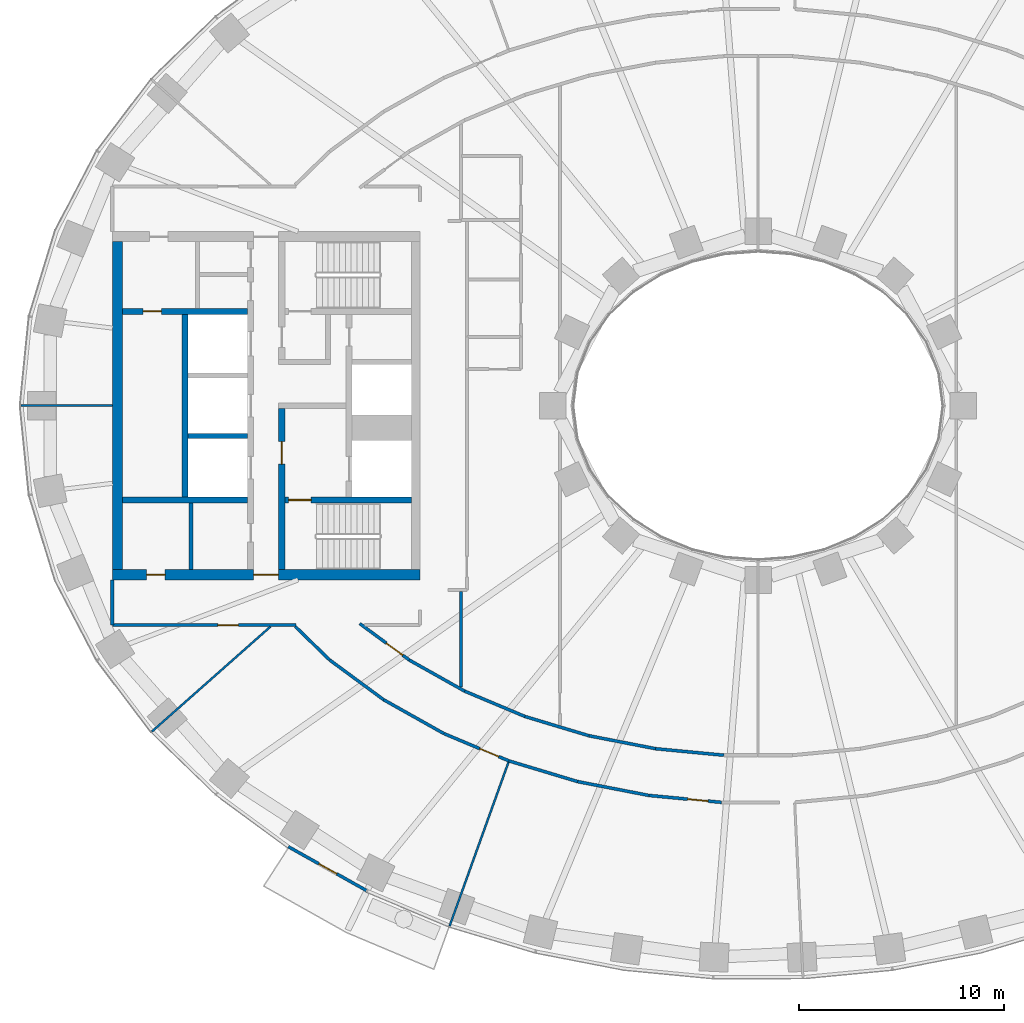
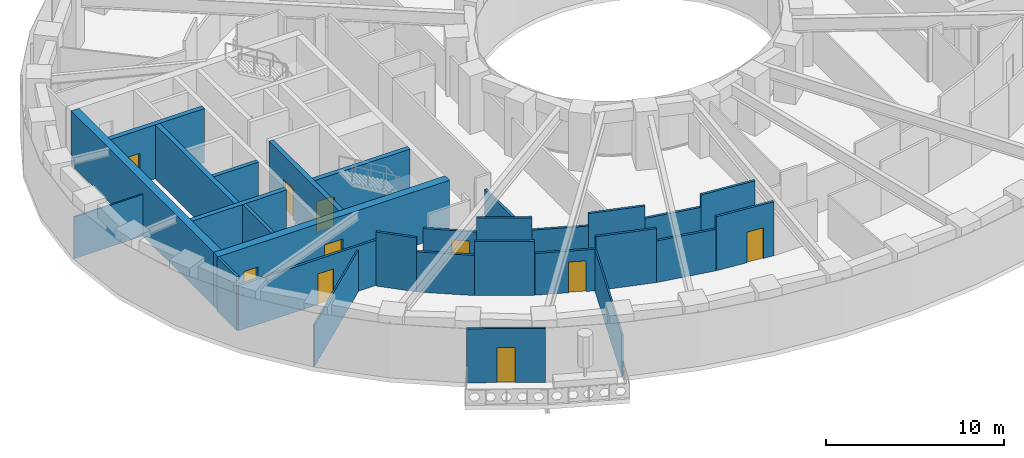
# One storey, part 3 of 16: 29 walls, 10 doors, 10 openings.
"""IFC4 building model written with IfcOpenShell, lengths in metres."""

from ifc_helpers import new_model, si_unit, direction, frame, frame_2d, origin, place, context, subcontext, project, spatial, rectangle, extrude, material, layer, layer_set, type_object, element, fill, save


model = new_model("IFC4")

# Units and contexts
model_context = context("Model", 3, precision=1e-05, world=origin(), true_north=direction((0.0, 1.0)))
body_context = subcontext(model_context, "Body", "Model", "MODEL_VIEW")
ifc_project = project(units=[si_unit("LENGTHUNIT", "METRE"), si_unit("AREAUNIT", "SQUARE_METRE"), si_unit("VOLUMEUNIT", "CUBIC_METRE"), si_unit("PLANEANGLEUNIT", "RADIAN"), si_unit("MASSUNIT", "GRAM", prefix="KILO")], contexts=[model_context])

# Site, building, storey
site_placement = place(None, origin())
site = spatial("IfcSite", under=ifc_project, at=site_placement, CompositionType="ELEMENT")
building_placement = place(site_placement, origin())
building = spatial("IfcBuilding", under=site, at=building_placement, Name="Noorbagh Ring Tower", CompositionType="ELEMENT")
storey_placement = place(building_placement, frame((0.0, 0.0, 74.5)))
storey = spatial("IfcBuildingStorey", under=building, at=storey_placement, Name="L16", CompositionType="ELEMENT", Elevation=74.5)

# Walls
ifc_material_1 = material(Name="Gypsum board on steel studs", Category="steel")
ifc_layer_1 = layer(ifc_material_1, 0.199951171875)
ifc_layer_set_1 = layer_set([ifc_layer_1], Name="Gypsum board on steel studs")
wall_type_1 = type_object("IfcWallType", Name="CORE-PARTITION-200", PredefinedType="PARTITIONING", material=ifc_layer_set_1)
wall_1_placement = place(storey_placement, frame((-27.64990234375, -8.0, 0.0), z_axis=(0.0, 0.0, 1.0), x_axis=(0.0, 1.0, 0.0)))
element("IfcWall", 1, at=wall_1_placement, inside=storey, type_object=wall_type_1, Name="Core partition W", PredefinedType="PARTITIONING", context=body_context, shape_type="SweptSolid", body=[
    extrude(rectangle(XDim=3.25, YDim=0.199951171875, at=frame_2d((1.625, 0.0))), origin(), (0.0, 0.0, 1.0), 3.699951171875),
])
ifc_material_2 = material(Name="Concrete C70/85", Category="concrete")
ifc_layer_2 = layer(ifc_material_2, 0.25)
ifc_layer_set_2 = layer_set([ifc_layer_2], Name="Concrete C70/85")
wall_type_2 = type_object("IfcWallType", Name="CORE-WALL-250-C70-85-EI120", PredefinedType="SHEAR", material=ifc_layer_set_2)
wall_2_placement = place(storey_placement, frame((-24.89990234375, -1.47509765625, 0.0), z_axis=(0.0, 0.0, 1.0), x_axis=(-1.0, 0.0, 0.0)))
element("IfcWall", 2, at=wall_2_placement, inside=storey, type_object=wall_type_2, Name="Core wall W", PredefinedType="SHEAR", context=body_context, shape_type="SweptSolid", body=[
    extrude(rectangle(XDim=2.900146484375, YDim=0.25, at=frame_2d((1.4501953125, 0.0))), origin(), (0.0, 0.0, 1.0), 3.699951171875),
])
ifc_material_3 = material(Name="Concrete C70/85", Category="concrete")
ifc_layer_3 = layer(ifc_material_3, 0.300048828125)
ifc_layer_set_3 = layer_set([ifc_layer_3], Name="Concrete C70/85")
wall_type_3 = type_object("IfcWallType", Name="CORE-WALL-300-C70-85-EI120", PredefinedType="SHEAR", material=ifc_layer_set_3)
wall_3_placement = place(storey_placement, frame((-27.949951171875, -4.449951171875, 0.0), z_axis=(0.0, 0.0, 1.0), x_axis=(0.0, 1.0, 0.0)))
element("IfcWall", 3, at=wall_3_placement, inside=storey, type_object=wall_type_3, Name="Core wall W", PredefinedType="SHEAR", context=body_context, shape_type="SweptSolid", body=[
    extrude(rectangle(XDim=8.89990234375, YDim=0.300048828125, at=frame_2d((4.449951171875, 0.0))), origin(), (0.0, 0.0, 1.0), 3.699951171875),
])

# Wall, opening, door
ifc_material_4 = material(Name="Concrete C70/85", Category="concrete")
ifc_layer_4 = layer(ifc_material_4, 0.300048828125)
ifc_layer_set_4 = layer_set([ifc_layer_4], Name="Concrete C70/85")
wall_type_4 = type_object("IfcWallType", Name="CORE-WALL-300-C70-85-EI240", PredefinedType="SHEAR", material=ifc_layer_set_4)
wall_4_placement = place(storey_placement, frame((-24.89990234375, 4.60009765625, 0.0), z_axis=(0.0, 0.0, 1.0), x_axis=(-1.0, 0.0, 0.0)))
wall_4 = element("IfcWall", 4, at=wall_4_placement, inside=storey, type_object=wall_type_4, Name="Core wall W", PredefinedType="SHEAR", context=body_context, shape_type="SweptSolid", body=[
    extrude(rectangle(XDim=6.10009765625, YDim=0.300048828125, at=frame_2d((3.050048828125, 0.0))), origin(), (0.0, 0.0, 1.0), 3.699951171875),
])
opening_1_placement = place(wall_4_placement, frame((4.199951171875, 0.0, 0.0)))
opening_1 = element("IfcOpeningElement", 5, at=opening_1_placement, cuts=wall_4, Name="Opening L16-CW17", PredefinedType="OPENING", context=body_context, shape_type="SweptSolid", body=[
    extrude(rectangle(XDim=0.89990234375, YDim=2.10009765625, at=frame_2d((0.449951171875, 1.050048828125))), frame((0.0, 0.16015625, 0.0), z_axis=(0.0, -1.0, 0.0), x_axis=(1.0, 0.0, 0.0)), (0.0, 0.0, 1.0), 0.320068359375),
])
ifc_material_5 = material(Name="Steel door leaf", Category="steel")
door_type_1 = type_object("IfcDoorType", Name="CORE-DOOR-DROOM", OperationType="SINGLE_SWING_LEFT", PredefinedType="DOOR", material=ifc_material_5)
door_1_placement = place(opening_1_placement, origin())
door_1 = element("IfcDoor", 6, at=door_1_placement, inside=storey, type_object=door_type_1, Name="Core room door L16-CW17", OperationType="SINGLE_SWING_LEFT", OverallHeight=2.10009765625, OverallWidth=0.89990234375, PredefinedType="DOOR", context=body_context, shape_type="SweptSolid", body=[
    extrude(rectangle(XDim=0.89990234375, YDim=2.10009765625, at=frame_2d((0.449951171875, 1.050048828125))), frame((0.0, 0.02490234375, 0.0), z_axis=(0.0, -1.0, 0.0), x_axis=(1.0, 0.0, 0.0)), (0.0, 0.0, 1.0), 0.050048828125),
])
fill(opening_1, door_1)

# Wall
wall_5_placement = place(storey_placement, frame((-24.89990234375, -4.60009765625, 0.0), z_axis=(0.0, 0.0, 1.0), x_axis=(-1.0, 0.0, 0.0)))
element("IfcWall", 7, at=wall_5_placement, inside=storey, type_object=wall_type_4, Name="Core wall W", PredefinedType="SHEAR", context=body_context, shape_type="SweptSolid", body=[
    extrude(rectangle(XDim=6.10009765625, YDim=0.300048828125, at=frame_2d((3.050048828125, 0.0))), origin(), (0.0, 0.0, 1.0), 3.699951171875),
])

# Wall, opening, door
wall_6_placement = place(storey_placement, frame((-23.22998046875, -8.0, 0.0), z_axis=(0.0, 0.0, 1.0), x_axis=(0.0, 1.0, 0.0)))
wall_6 = element("IfcWall", 8, at=wall_6_placement, inside=storey, type_object=wall_type_4, Name="Core wall W", PredefinedType="SHEAR", context=body_context, shape_type="SweptSolid", body=[
    extrude(rectangle(XDim=7.875, YDim=0.300048828125, at=frame_2d((3.9375, 0.0))), origin(), (0.0, 0.0, 1.0), 3.699951171875),
])
opening_2_placement = place(wall_6_placement, frame((5.14990234375, 0.0, 0.0)))
opening_2 = element("IfcOpeningElement", 9, at=opening_2_placement, cuts=wall_6, Name="Opening L16-CW07", PredefinedType="OPENING", context=body_context, shape_type="SweptSolid", body=[
    extrude(rectangle(XDim=1.10009765625, YDim=2.10009765625, at=frame_2d((0.550048828125, 1.050048828125))), frame((0.0, 0.16015625, 0.0), z_axis=(0.0, -1.0, 0.0), x_axis=(1.0, 0.0, 0.0)), (0.0, 0.0, 1.0), 0.320068359375),
])
ifc_material_6 = material(Name="Steel door leaf", Category="steel")
door_type_2 = type_object("IfcDoorType", Name="CORE-DOOR-DFF", OperationType="SINGLE_SWING_LEFT", PredefinedType="DOOR", material=ifc_material_6)
door_2_placement = place(opening_2_placement, origin())
door_2 = element("IfcDoor", 10, at=door_2_placement, inside=storey, type_object=door_type_2, Name="Firefighting lobby door L16-CW07", OperationType="SINGLE_SWING_LEFT", OverallHeight=2.10009765625, OverallWidth=1.10009765625, PredefinedType="DOOR", context=body_context, shape_type="SweptSolid", body=[
    extrude(rectangle(XDim=1.10009765625, YDim=2.10009765625, at=frame_2d((0.550048828125, 1.050048828125))), frame((0.0, 0.02490234375, 0.0), z_axis=(0.0, -1.0, 0.0), x_axis=(1.0, 0.0, 0.0)), (0.0, 0.0, 1.0), 0.050048828125),
])
fill(opening_2, door_2)

wall_7_placement = place(storey_placement, frame((-16.89990234375, -4.60009765625, 0.0), z_axis=(0.0, 0.0, 1.0), x_axis=(-1.0, 0.0, 0.0)))
wall_7 = element("IfcWall", 11, at=wall_7_placement, inside=storey, type_object=wall_type_4, Name="Core wall W", PredefinedType="SHEAR", context=body_context, shape_type="SweptSolid", body=[
    extrude(rectangle(XDim=6.18017578125, YDim=0.300048828125, at=frame_2d((3.090087890625, 0.0))), origin(), (0.0, 0.0, 1.0), 3.699951171875),
])
opening_3_placement = place(wall_7_placement, frame((4.89990234375, 0.0, 0.0)))
opening_3 = element("IfcOpeningElement", 12, at=opening_3_placement, cuts=wall_7, Name="Opening L16-CW06", PredefinedType="OPENING", context=body_context, shape_type="SweptSolid", body=[
    extrude(rectangle(XDim=1.10009765625, YDim=2.10009765625, at=frame_2d((0.550048828125, 1.050048828125))), frame((0.0, 0.16015625, 0.0), z_axis=(0.0, -1.0, 0.0), x_axis=(1.0, 0.0, 0.0)), (0.0, 0.0, 1.0), 0.320068359375),
])
ifc_material_7 = material(Name="Steel door leaf", Category="steel")
door_type_3 = type_object("IfcDoorType", Name="CORE-DOOR-DSTAIR", OperationType="SINGLE_SWING_LEFT", PredefinedType="DOOR", material=ifc_material_7)
door_3_placement = place(opening_3_placement, origin())
door_3 = element("IfcDoor", 13, at=door_3_placement, inside=storey, type_object=door_type_3, Name="Stair door ST2 L16-CW06", OperationType="SINGLE_SWING_LEFT", OverallHeight=2.10009765625, OverallWidth=1.10009765625, PredefinedType="DOOR", context=body_context, shape_type="SweptSolid", body=[
    extrude(rectangle(XDim=1.10009765625, YDim=2.10009765625, at=frame_2d((0.550048828125, 1.050048828125))), frame((0.0, 0.02490234375, 0.0), z_axis=(0.0, -1.0, 0.0), x_axis=(1.0, 0.0, 0.0)), (0.0, 0.0, 1.0), 0.050048828125),
])
fill(opening_3, door_3)

# Wall, openings, doors
ifc_material_8 = material(Name="Concrete C70/85", Category="concrete")
ifc_layer_5 = layer(ifc_material_8, 0.5)
ifc_layer_set_5 = layer_set([ifc_layer_5], Name="Concrete C70/85")
wall_type_5 = type_object("IfcWallType", Name="CORE-WALL-500-C70-85-EI240", PredefinedType="SHEAR", material=ifc_layer_set_5)
wall_8_placement = place(storey_placement, frame((-16.5, -8.25, 0.0), z_axis=(0.0, 0.0, 1.0), x_axis=(-1.0, 0.0, 0.0)))
wall_8 = element("IfcWall", 14, at=wall_8_placement, inside=storey, type_object=wall_type_5, Name="Core wall W", PredefinedType="SHEAR", context=body_context, shape_type="SweptSolid", body=[
    extrude(rectangle(XDim=15.0, YDim=0.5, at=frame_2d((7.5, 0.0))), origin(), (0.0, 0.0, 1.0), 3.699951171875),
])
opening_4_placement = place(wall_8_placement, frame((6.89990234375, 0.0, 0.0)))
opening_4 = element("IfcOpeningElement", 15, at=opening_4_placement, cuts=wall_8, Name="Opening L16-CW10", PredefinedType="OPENING", context=body_context, shape_type="SweptSolid", body=[
    extrude(rectangle(XDim=1.199951171875, YDim=2.10009765625, at=frame_2d((0.60009765625, 1.050048828125))), frame((0.0, 0.260009765625, 0.0), z_axis=(0.0, -1.0, 0.0), x_axis=(1.0, 0.0, 0.0)), (0.0, 0.0, 1.0), 0.52001953125),
])
opening_5_placement = place(wall_8_placement, frame((12.425048828125, 0.0, 0.0)))
opening_5 = element("IfcOpeningElement", 16, at=opening_5_placement, cuts=wall_8, Name="Opening L16-CW16", PredefinedType="OPENING", context=body_context, shape_type="SweptSolid", body=[
    extrude(rectangle(XDim=0.89990234375, YDim=2.10009765625, at=frame_2d((0.449951171875, 1.050048828125))), frame((0.0, 0.260009765625, 0.0), z_axis=(0.0, -1.0, 0.0), x_axis=(1.0, 0.0, 0.0)), (0.0, 0.0, 1.0), 0.52001953125),
])
door_4_placement = place(opening_5_placement, origin())
door_4 = element("IfcDoor", 17, at=door_4_placement, inside=storey, type_object=door_type_1, Name="Core room door L16-CW16", OperationType="SINGLE_SWING_LEFT", OverallHeight=2.10009765625, OverallWidth=0.89990234375, PredefinedType="DOOR", context=body_context, shape_type="SweptSolid", body=[
    extrude(rectangle(XDim=0.89990234375, YDim=2.10009765625, at=frame_2d((0.449951171875, 1.050048828125))), frame((0.0, 0.02490234375, 0.0), z_axis=(0.0, -1.0, 0.0), x_axis=(1.0, 0.0, 0.0)), (0.0, 0.0, 1.0), 0.050048828125),
])
fill(opening_5, door_4)
ifc_material_9 = material(Name="Steel door leaf", Category="steel")
door_type_4 = type_object("IfcDoorType", Name="CORE-DOOR-PORT", OperationType="DOUBLE_DOOR_DOUBLE_SWING", PredefinedType="DOOR", material=ifc_material_9)
door_5_placement = place(opening_4_placement, origin())
door_5 = element("IfcDoor", 18, at=door_5_placement, inside=storey, type_object=door_type_4, Name="Core entrance door L16-CW10", OperationType="DOUBLE_DOOR_DOUBLE_SWING", OverallHeight=2.10009765625, OverallWidth=1.199951171875, PredefinedType="DOOR", context=body_context, shape_type="SweptSolid", body=[
    extrude(rectangle(XDim=1.199951171875, YDim=2.10009765625, at=frame_2d((0.60009765625, 1.050048828125))), frame((0.0, 0.02490234375, 0.0), z_axis=(0.0, -1.0, 0.0), x_axis=(1.0, 0.0, 0.0)), (0.0, 0.0, 1.0), 0.050048828125),
])
fill(opening_4, door_5)

# Walls
wall_9_placement = place(storey_placement, frame((-31.25, -8.0, 0.0), z_axis=(0.0, 0.0, 1.0), x_axis=(0.0, 1.0, 0.0)))
element("IfcWall", 19, at=wall_9_placement, inside=storey, type_object=wall_type_5, Name="Core wall W", PredefinedType="SHEAR", context=body_context, shape_type="SweptSolid", body=[
    extrude(rectangle(XDim=16.0, YDim=0.5, at=frame_2d((8.0, 0.0))), origin(), (0.0, 0.0, 1.0), 3.699951171875),
])
ifc_material_10 = material(Name="Gypsum board on steel studs", Category="steel")
ifc_layer_6 = layer(ifc_material_10, 0.14990234375)
ifc_layer_set_6 = layer_set([ifc_layer_6], Name="Gypsum board on steel studs")
wall_type_6 = type_object("IfcWallType", Name="CORRIDOR PARTITION 150 EI 30", PredefinedType="PARTITIONING", material=ifc_layer_set_6)
wall_10_placement = place(storey_placement, frame((-31.5, -10.699951171875, 0.0), z_axis=(0.0, 0.0, 1.0), x_axis=(0.0, 1.0, 0.0)))
element("IfcWall", 20, at=wall_10_placement, inside=storey, type_object=wall_type_6, Name="L16/wall/P02", PredefinedType="PARTITIONING", context=body_context, shape_type="SweptSolid", body=[
    extrude(rectangle(XDim=2.199951171875, YDim=0.14990234375, at=frame_2d((1.10009765625, 0.0))), origin(), (0.0, 0.0, 1.0), 3.699951171875),
])

# Wall, opening, door
wall_11_placement = place(storey_placement, frame((-31.5, -10.699951171875, 0.0), z_axis=(0.0, 0.0, 1.0), x_axis=(1.0, 0.0, 0.0)))
wall_11 = element("IfcWall", 21, at=wall_11_placement, inside=storey, type_object=wall_type_6, Name="L16/wall/P03", PredefinedType="PARTITIONING", context=body_context, shape_type="SweptSolid", body=[
    extrude(rectangle(XDim=8.9609375, YDim=0.14990234375, at=frame_2d((4.48046875, 0.0))), origin(), (0.0, 0.0, 1.0), 3.10009765625),
])
opening_6_placement = place(wall_11_placement, frame((5.14990234375, 0.0, 0.0)))
opening_6 = element("IfcOpeningElement", 22, at=opening_6_placement, cuts=wall_11, Name="Opening D1", PredefinedType="OPENING", context=body_context, shape_type="SweptSolid", body=[
    extrude(rectangle(XDim=1.0, YDim=2.10009765625, at=frame_2d((0.5, 1.050048828125))), frame((0.0, 0.0849609375, 0.0), z_axis=(0.0, -1.0, 0.0), x_axis=(1.0, 0.0, 0.0)), (0.0, 0.0, 1.0), 0.169921875),
])
ifc_material_11 = material(Name="Timber, painted", Category="wood")
door_type_5 = type_object("IfcDoorType", Name="DOOR 1000 X 2100 FD30", OperationType="SINGLE_SWING_LEFT", PredefinedType="DOOR", material=ifc_material_11)
door_6_placement = place(opening_6_placement, origin())
door_6 = element("IfcDoor", 23, at=door_6_placement, inside=storey, type_object=door_type_5, Name="L16-D06", OperationType="SINGLE_SWING_RIGHT", OverallHeight=2.10009765625, OverallWidth=1.0, PredefinedType="DOOR", context=body_context, shape_type="SweptSolid", body=[
    extrude(rectangle(XDim=1.0, YDim=2.10009765625, at=frame_2d((0.5, 1.050048828125))), frame((0.0, 0.02490234375, 0.0), z_axis=(0.0, -1.0, 0.0), x_axis=(1.0, 0.0, 0.0)), (0.0, 0.0, 1.0), 0.050048828125),
])
fill(opening_6, door_6)

# Walls
wall_12_placement = place(storey_placement, frame((-22.570068359375, -10.77490234375, 0.0), z_axis=(0.0, 0.0, 1.0), x_axis=(0.717045582263, -0.697026278527, 0.0)))
element("IfcWall", 24, at=wall_12_placement, inside=storey, type_object=wall_type_6, Name="L16/wall/P08", PredefinedType="PARTITIONING", context=body_context, shape_type="SweptSolid", body=[
    extrude(rectangle(XDim=2.341552734375, YDim=0.14990234375, at=frame_2d((1.1708984375, 0.0))), origin(), (0.0, 0.0, 1.0), 3.699951171875),
])
wall_13_placement = place(storey_placement, frame((-20.89111328125, -12.406982421875, 0.0), z_axis=(0.0, 0.0, 1.0), x_axis=(0.805303685339, -0.592862525701, 0.0)))
element("IfcWall", 25, at=wall_13_placement, inside=storey, type_object=wall_type_6, Name="L16/wall/P10", PredefinedType="PARTITIONING", context=body_context, shape_type="SweptSolid", body=[
    extrude(rectangle(XDim=3.267333984375, YDim=0.14990234375, at=frame_2d((1.6337890625, 0.0))), origin(), (0.0, 0.0, 1.0), 2.75),
])

# Wall, opening, door
wall_14_placement = place(storey_placement, frame((-19.431884765625, -10.625, 0.0), z_axis=(0.0, 0.0, 1.0), x_axis=(0.805306738654, -0.592858378265, 0.0)))
wall_14 = element("IfcWall", 26, at=wall_14_placement, inside=storey, type_object=wall_type_6, Name="L16/wall/P12", PredefinedType="PARTITIONING", context=body_context, shape_type="SweptSolid", body=[
    extrude(rectangle(XDim=3.00732421875, YDim=0.14990234375, at=frame_2d((1.503662109375, 0.0))), origin(), (0.0, 0.0, 1.0), 2.75),
])
opening_7_placement = place(wall_14_placement, frame((1.607421875, 0.0, 0.0)))
opening_7 = element("IfcOpeningElement", 27, at=opening_7_placement, cuts=wall_14, Name="Opening D1", PredefinedType="OPENING", context=body_context, shape_type="SweptSolid", body=[
    extrude(rectangle(XDim=1.0, YDim=2.10009765625, at=frame_2d((0.5, 1.050048828125))), frame((0.0, 0.0849609375, 0.0), z_axis=(0.0, -1.0, 0.0), x_axis=(1.0, 0.0, 0.0)), (0.0, 0.0, 1.0), 0.169921875),
])
door_7_placement = place(opening_7_placement, origin())
door_7 = element("IfcDoor", 28, at=door_7_placement, inside=storey, type_object=door_type_5, Name="L16-D15", OperationType="SINGLE_SWING_LEFT", OverallHeight=2.10009765625, OverallWidth=1.0, PredefinedType="DOOR", context=body_context, shape_type="SweptSolid", body=[
    extrude(rectangle(XDim=1.0, YDim=2.10009765625, at=frame_2d((0.5, 1.050048828125))), frame((0.0, 0.02490234375, 0.0), z_axis=(0.0, -1.0, 0.0), x_axis=(1.0, 0.0, 0.0)), (0.0, 0.0, 1.0), 0.050048828125),
])
fill(opening_7, door_7)

# Walls
wall_15_placement = place(storey_placement, frame((-18.260009765625, -14.343994140625, 0.0), z_axis=(0.0, 0.0, 1.0), x_axis=(0.871958798398, -0.489579262118, 0.0)))
element("IfcWall", 29, at=wall_15_placement, inside=storey, type_object=wall_type_6, Name="L16/wall/P16", PredefinedType="PARTITIONING", context=body_context, shape_type="SweptSolid", body=[
    extrude(rectangle(XDim=3.365966796875, YDim=0.14990234375, at=frame_2d((1.68310546875, 0.0))), origin(), (0.0, 0.0, 1.0), 3.699951171875),
])
wall_16_placement = place(storey_placement, frame((-17.010009765625, -12.407958984375, 0.0), z_axis=(0.0, 0.0, 1.0), x_axis=(0.871977874087, -0.489545286059, 0.0)))
element("IfcWall", 30, at=wall_16_placement, inside=storey, type_object=wall_type_6, Name="L16/wall/P18", PredefinedType="PARTITIONING", context=body_context, shape_type="SweptSolid", body=[
    extrude(rectangle(XDim=3.093017578125, YDim=0.14990234375, at=frame_2d((1.54638671875, 0.0))), origin(), (0.0, 0.0, 1.0), 3.699951171875),
])

# Wall, opening, door
wall_17_placement = place(storey_placement, frame((-15.324951171875, -15.991943359375, 0.0), z_axis=(0.0, 0.0, 1.0), x_axis=(0.921891448612, -0.387448263612, 0.0)))
wall_17 = element("IfcWall", 31, at=wall_17_placement, inside=storey, type_object=wall_type_6, Name="L16/wall/P22", PredefinedType="PARTITIONING", context=body_context, shape_type="SweptSolid", body=[
    extrude(rectangle(XDim=3.443115234375, YDim=0.14990234375, at=frame_2d((1.7216796875, 0.0))), origin(), (0.0, 0.0, 1.0), 2.85009765625),
])
opening_8_placement = place(wall_17_placement, frame((1.89990234375, 0.0, 0.0)))
opening_8 = element("IfcOpeningElement", 32, at=opening_8_placement, cuts=wall_17, Name="Opening D1", PredefinedType="OPENING", context=body_context, shape_type="SweptSolid", body=[
    extrude(rectangle(XDim=1.0, YDim=2.10009765625, at=frame_2d((0.5, 1.050048828125))), frame((0.0, 0.0849609375, 0.0), z_axis=(0.0, -1.0, 0.0), x_axis=(1.0, 0.0, 0.0)), (0.0, 0.0, 1.0), 0.169921875),
])
door_8_placement = place(opening_8_placement, origin())
door_8 = element("IfcDoor", 33, at=door_8_placement, inside=storey, type_object=door_type_5, Name="L16-D08", OperationType="SINGLE_SWING_RIGHT", OverallHeight=2.10009765625, OverallWidth=1.0, PredefinedType="DOOR", context=body_context, shape_type="SweptSolid", body=[
    extrude(rectangle(XDim=1.0, YDim=2.10009765625, at=frame_2d((0.5, 1.050048828125))), frame((0.0, 0.02490234375, 0.0), z_axis=(0.0, -1.0, 0.0), x_axis=(1.0, 0.0, 0.0)), (0.0, 0.0, 1.0), 0.050048828125),
])
fill(opening_8, door_8)

# Walls
wall_18_placement = place(storey_placement, frame((-14.4970703125, -13.72900390625, 0.0), z_axis=(0.0, 0.0, 1.0), x_axis=(0.0, 1.0, 0.0)))
element("IfcWall", 34, at=wall_18_placement, inside=storey, type_object=wall_type_6, Name="L16/wall/P28", PredefinedType="PARTITIONING", context=body_context, shape_type="SweptSolid", body=[
    extrude(rectangle(XDim=4.654052734375, YDim=0.14990234375, at=frame_2d((2.3271484375, 0.0))), origin(), (0.0, 0.0, 1.0), 2.75),
])
wall_19_placement = place(storey_placement, frame((-14.31298828125, -13.922119140625, 0.0), z_axis=(0.0, 0.0, 1.0), x_axis=(0.921799502591, -0.387666966638, 0.0)))
element("IfcWall", 35, at=wall_19_placement, inside=storey, type_object=wall_type_6, Name="L16/wall/P32", PredefinedType="PARTITIONING", context=body_context, shape_type="SweptSolid", body=[
    extrude(rectangle(XDim=3.1904296875, YDim=0.14990234375, at=frame_2d((1.59521484375, 0.0))), origin(), (0.0, 0.0, 1.0), 2.85009765625),
])
wall_20_placement = place(storey_placement, frame((-12.15087890625, -17.325927734375, 0.0), z_axis=(0.0, 0.0, 1.0), x_axis=(0.957528149021, -0.288339806186, 0.0)))
element("IfcWall", 36, at=wall_20_placement, inside=storey, type_object=wall_type_6, Name="L16/wall/P40", PredefinedType="PARTITIONING", context=body_context, shape_type="SweptSolid", body=[
    extrude(rectangle(XDim=3.49951171875, YDim=0.14990234375, at=frame_2d((1.749755859375, 0.0))), origin(), (0.0, 0.0, 1.0), 3.699951171875),
])
wall_21_placement = place(storey_placement, frame((-11.3720703125, -15.158935546875, 0.0), z_axis=(0.0, 0.0, 1.0), x_axis=(0.95757464185, -0.28818536619, 0.0)))
element("IfcWall", 37, at=wall_21_placement, inside=storey, type_object=wall_type_6, Name="L16/wall/P44", PredefinedType="PARTITIONING", context=body_context, shape_type="SweptSolid", body=[
    extrude(rectangle(XDim=3.262451171875, YDim=0.14990234375, at=frame_2d((1.63134765625, 0.0))), origin(), (0.0, 0.0, 1.0), 3.699951171875),
])
wall_22_placement = place(storey_placement, frame((-8.800048828125, -18.3349609375, 0.0), z_axis=(0.0, 0.0, 1.0), x_axis=(0.981620418387, -0.190843795306, 0.0)))
element("IfcWall", 38, at=wall_22_placement, inside=storey, type_object=wall_type_6, Name="L16/wall/P47", PredefinedType="PARTITIONING", context=body_context, shape_type="SweptSolid", body=[
    extrude(rectangle(XDim=3.537109375, YDim=0.14990234375, at=frame_2d((1.7685546875, 0.0))), origin(), (0.0, 0.0, 1.0), 2.85009765625),
])
wall_23_placement = place(storey_placement, frame((-8.248046875, -16.09912109375, 0.0), z_axis=(0.0, 0.0, 1.0), x_axis=(0.981621529558, -0.190838079815, 0.0)))
element("IfcWall", 39, at=wall_23_placement, inside=storey, type_object=wall_type_6, Name="L16/wall/P49", PredefinedType="PARTITIONING", context=body_context, shape_type="SweptSolid", body=[
    extrude(rectangle(XDim=3.310791015625, YDim=0.14990234375, at=frame_2d((1.6552734375, 0.0))), origin(), (0.0, 0.0, 1.0), 2.85009765625),
])

# Wall, opening, door
wall_24_placement = place(storey_placement, frame((-5.327880859375, -19.010009765625, 0.0), z_axis=(0.0, 0.0, 1.0), x_axis=(0.995485604231, -0.094912653366, 0.0)))
wall_24 = element("IfcWall", 40, at=wall_24_placement, inside=storey, type_object=wall_type_6, Name="L16/wall/P51", PredefinedType="PARTITIONING", context=body_context, shape_type="SweptSolid", body=[
    extrude(rectangle(XDim=3.56005859375, YDim=0.14990234375, at=frame_2d((1.780029296875, 0.0))), origin(), (0.0, 0.0, 1.0), 3.699951171875),
])
opening_9_placement = place(wall_24_placement, frame((1.89990234375, 0.0, 0.0)))
opening_9 = element("IfcOpeningElement", 41, at=opening_9_placement, cuts=wall_24, Name="Opening D1", PredefinedType="OPENING", context=body_context, shape_type="SweptSolid", body=[
    extrude(rectangle(XDim=1.0, YDim=2.10009765625, at=frame_2d((0.5, 1.050048828125))), frame((0.0, 0.0849609375, 0.0), z_axis=(0.0, -1.0, 0.0), x_axis=(1.0, 0.0, 0.0)), (0.0, 0.0, 1.0), 0.169921875),
])
door_9_placement = place(opening_9_placement, origin())
door_9 = element("IfcDoor", 42, at=door_9_placement, inside=storey, type_object=door_type_5, Name="L16-D10", OperationType="SINGLE_SWING_RIGHT", OverallHeight=2.10009765625, OverallWidth=1.0, PredefinedType="DOOR", context=body_context, shape_type="SweptSolid", body=[
    extrude(rectangle(XDim=1.0, YDim=2.10009765625, at=frame_2d((0.5, 1.050048828125))), frame((0.0, 0.02490234375, 0.0), z_axis=(0.0, -1.0, 0.0), x_axis=(1.0, 0.0, 0.0)), (0.0, 0.0, 1.0), 0.050048828125),
])
fill(opening_9, door_9)

# Wall
wall_25_placement = place(storey_placement, frame((-4.998046875, -16.73095703125, 0.0), z_axis=(0.0, 0.0, 1.0), x_axis=(0.995479356205, -0.094978162593, 0.0)))
element("IfcWall", 43, at=wall_25_placement, inside=storey, type_object=wall_type_6, Name="L16/wall/P53", PredefinedType="PARTITIONING", context=body_context, shape_type="SweptSolid", body=[
    extrude(rectangle(XDim=3.339111328125, YDim=0.14990234375, at=frame_2d((1.66943359375, 0.0))), origin(), (0.0, 0.0, 1.0), 3.699951171875),
])

# Wall, opening, door
ifc_material_12 = material(Name="Insulated aluminium clad panel", Category="aluminium")
ifc_layer_7 = layer(ifc_material_12, 0.14990234375)
ifc_layer_set_7 = layer_set([ifc_layer_7], Name="Insulated aluminium clad panel")
wall_type_7 = type_object("IfcWallType", Name="ENV-WALL-DOOR", PredefinedType="STANDARD", material=ifc_layer_set_7)
wall_26_placement = place(storey_placement, frame((-22.913330078125, -21.508544921875, 0.0), z_axis=(0.0, 0.0, 1.0), x_axis=(0.872046572975, -0.489422899509, 0.0)))
wall_26 = element("IfcWall", 44, at=wall_26_placement, inside=storey, type_object=wall_type_7, Name="Balcony door wall chord 30", PredefinedType="STANDARD", context=body_context, shape_type="SweptSolid", body=[
    extrude(rectangle(XDim=4.425537109375, YDim=0.14990234375, at=frame_2d((2.212890625, 0.0))), origin(), (0.0, 0.0, 1.0), 3.699951171875),
])
opening_10_placement = place(wall_26_placement, frame((1.712646484375, 0.0, 0.0)))
opening_10 = element("IfcOpeningElement", 45, at=opening_10_placement, cuts=wall_26, Name="Opening D-BL", PredefinedType="OPENING", context=body_context, shape_type="SweptSolid", body=[
    extrude(rectangle(XDim=1.0, YDim=2.39990234375, at=frame_2d((0.5, 1.199951171875))), frame((0.0, 0.0849609375, 0.0), z_axis=(0.0, -1.0, 0.0), x_axis=(1.0, 0.0, 0.0)), (0.0, 0.0, 1.0), 0.169921875),
])
ifc_material_13 = material(Name="Aluminium and glass", Category="aluminium")
door_type_6 = type_object("IfcDoorType", Name="ENV-DOOR-BALCONY", OperationType="SINGLE_SWING_LEFT", PredefinedType="DOOR", material=ifc_material_13)
door_10_placement = place(opening_10_placement, origin())
door_10 = element("IfcDoor", 46, at=door_10_placement, inside=storey, type_object=door_type_6, Name="Balcony door chord 30", OperationType="SINGLE_SWING_LEFT", OverallHeight=2.39990234375, OverallWidth=1.0, PredefinedType="DOOR", context=body_context, shape_type="SweptSolid", body=[
    extrude(rectangle(XDim=1.0, YDim=2.39990234375, at=frame_2d((0.5, 1.199951171875))), frame((0.0, 0.02490234375, 0.0), z_axis=(0.0, -1.0, 0.0), x_axis=(1.0, 0.0, 0.0)), (0.0, 0.0, 1.0), 0.050048828125),
])
fill(opening_10, door_10)

# Walls
ifc_material_14 = material(Name="Gypsum board on steel studs", Category="steel")
ifc_layer_8 = layer(ifc_material_14, 0.10009765625)
ifc_layer_set_8 = layer_set([ifc_layer_8], Name="Gypsum board on steel studs")
wall_type_8 = type_object("IfcWallType", Name="PARTITION 100 GYPSUM", PredefinedType="PARTITIONING", material=ifc_layer_set_8)
wall_27_placement = place(storey_placement, frame((-35.948974609375, 0.0, 0.0), z_axis=(0.0, 0.0, 1.0), x_axis=(1.0, 0.0, 0.0)))
element("IfcWall", 47, at=wall_27_placement, inside=storey, type_object=wall_type_8, Name="L16/wall/P01", PredefinedType="PARTITIONING", context=body_context, shape_type="SweptSolid", body=[
    extrude(rectangle(XDim=4.448974609375, YDim=0.10009765625, at=frame_2d((2.224609375, 0.0))), origin(), (0.0, 0.0, 1.0), 2.85009765625),
])
wall_28_placement = place(storey_placement, frame((-29.569091796875, -15.89501953125, 0.0), z_axis=(0.0, 0.0, 1.0), x_axis=(0.748985701008, 0.662586160198, 0.0)))
element("IfcWall", 48, at=wall_28_placement, inside=storey, type_object=wall_type_8, Name="L16/wall/P06", PredefinedType="PARTITIONING", context=body_context, shape_type="SweptSolid", body=[
    extrude(rectangle(XDim=7.72265625, YDim=0.10009765625, at=frame_2d((3.861328125, 0.0))), origin(), (0.0, 0.0, 1.0), 2.85009765625),
])
wall_29_placement = place(storey_placement, frame((-15.048095703125, -25.383056640625, 0.0), z_axis=(0.0, 0.0, 1.0), x_axis=(0.338300183564, 0.941038248851, 0.0)))
element("IfcWall", 49, at=wall_29_placement, inside=storey, type_object=wall_type_8, Name="L16/wall/P26", PredefinedType="PARTITIONING", context=body_context, shape_type="SweptSolid", body=[
    extrude(rectangle(XDim=8.5576171875, YDim=0.10009765625, at=frame_2d((4.27880859375, 0.0))), origin(), (0.0, 0.0, 1.0), 2.85009765625),
])

save(model, "model.ifc")
